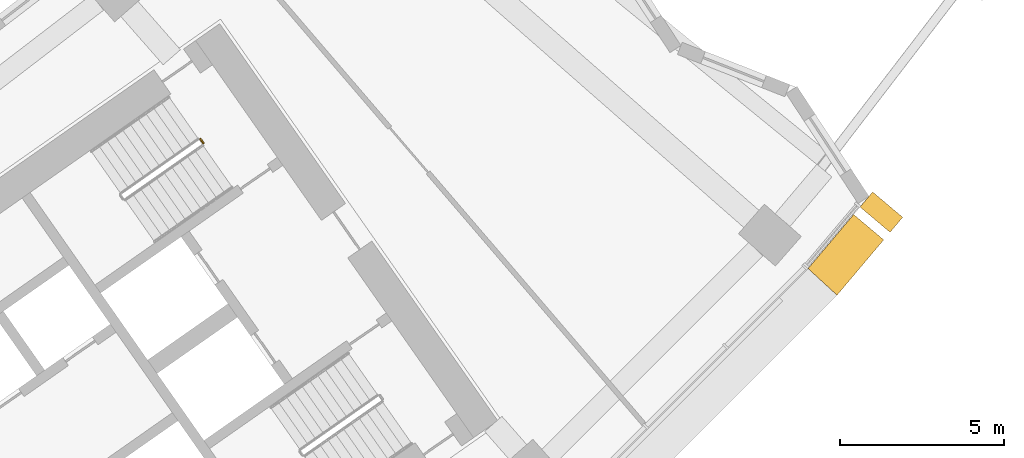
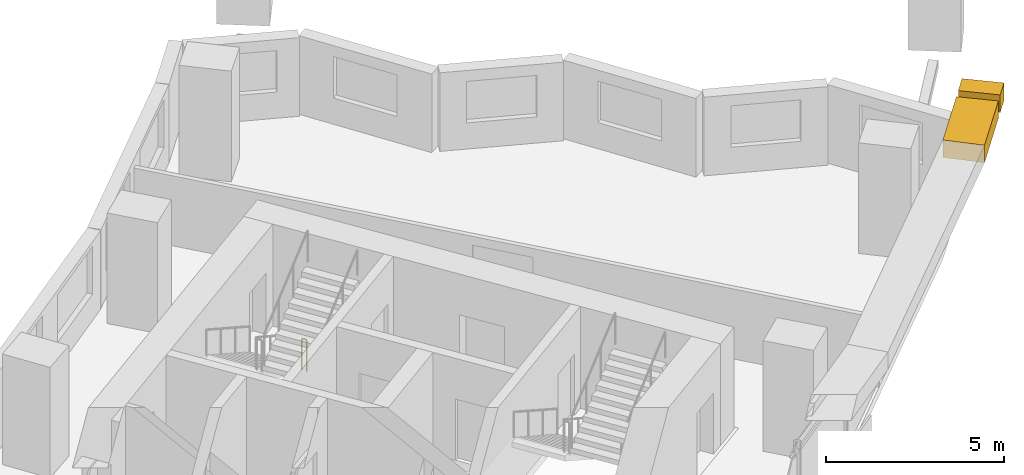
# One storey, part 29 of 29: 2 shading devices, 1 railing.
"""IFC4 building model written with IfcOpenShell, lengths in metres."""

from ifc_helpers import new_model, si_unit, direction, frame, origin, origin_2d, place, context, subcontext, project, spatial, polyline, circle, outline, extrude, material, type_object, element, save


model = new_model("IFC4")

# Units and contexts
model_context = context("Model", 3, precision=1e-05, world=origin(), true_north=direction((0.0, 1.0)))
body_context = subcontext(model_context, "Body", "Model", "MODEL_VIEW")
ifc_project = project(units=[si_unit("LENGTHUNIT", "METRE"), si_unit("AREAUNIT", "SQUARE_METRE"), si_unit("VOLUMEUNIT", "CUBIC_METRE"), si_unit("PLANEANGLEUNIT", "RADIAN"), si_unit("MASSUNIT", "GRAM", prefix="KILO")], contexts=[model_context])

# Site, building, storey
site_placement = place(None, origin())
site = spatial("IfcSite", under=ifc_project, at=site_placement, CompositionType="ELEMENT")
building_placement = place(site_placement, origin())
building = spatial("IfcBuilding", under=site, at=building_placement, Name="Qamariyya Broadcast Tower", CompositionType="ELEMENT")
storey_placement = place(building_placement, frame((0.0, 0.0, 121.5)))
storey = spatial("IfcBuildingStorey", under=building, at=storey_placement, Name="L27", CompositionType="ELEMENT", Elevation=121.5)

# Shading devices
ifc_material_1 = material(Name="Steel S355 powder coated deep red", Category="steel")
shading_device_type = type_object("IfcShadingDeviceType", Name="Deep red frame, powder coated steel box section", PredefinedType="USERDEFINED", material=ifc_material_1)
shading_device_1_placement = place(storey_placement, frame((0.0, 0.0, 3.199951171875)))
element("IfcShadingDevice", 1, at=shading_device_1_placement, inside=storey, type_object=shading_device_type, Name="e-frm-B2-F4-postb-L27", ObjectType="FRAME", PredefinedType="USERDEFINED", context=body_context, shape_type="SweptSolid", body=[
    extrude(outline(polyline([(61.20703125, -50.405517578125), (62.124267578125, -51.17919921875), (62.510986328125, -50.720703125), (61.59375, -49.947021484375), (61.20703125, -50.405517578125)])), origin(), (0.0, 0.0, 1.0), 0.60009765625),
])
shading_device_2_placement = place(storey_placement, frame((0.0, 0.0, 3.199951171875)))
element("IfcShadingDevice", 2, at=shading_device_2_placement, inside=storey, type_object=shading_device_type, Name="e-frm-B2-F4-bot2", ObjectType="FRAME", PredefinedType="USERDEFINED", context=body_context, shape_type="SweptSolid", body=[
    extrude(outline(polyline([(59.620849609375, -52.2861328125), (60.50537109375, -53.0986328125), (61.930908203125, -51.40869140625), (61.013427734375, -50.635009765625), (59.620849609375, -52.2861328125)])), origin(), (0.0, 0.0, 1.0), 0.60009765625),
])

# Railing
ifc_material_2 = material(Name="Painted steel", Category="steel")
railing_type = type_object("IfcRailingType", Name="Stair guard", PredefinedType="GUARDRAIL", material=ifc_material_2)
railing_placement = place(storey_placement, frame((41.072998046875, -48.332275390625, 0.0)))
element("IfcRailing", 3, at=railing_placement, inside=storey, type_object=railing_type, Name="L27 ST-E2 stair guard 3", PredefinedType="GUARDRAIL", context=body_context, shape_type="SweptSolid", body=[
    extrude(circle(Radius=0.02392578125, at=origin_2d()), frame((0.0, 0.0, 1.076171875), z_axis=(0.572588637393, -0.819842821722, 0.0), x_axis=(0.819842821722, 0.572588637393, 0.0)), (0.0, 0.0, 1.0), 0.150146484375),
    extrude(circle(Radius=0.02099609375, at=origin_2d()), origin(), (0.0, 0.0, 1.0), 1.052001953125),
    extrude(circle(Radius=0.02099609375, at=origin_2d()), frame((0.0859375, -0.123046875, 0.0)), (0.0, 0.0, 1.0), 1.052001953125),
])

save(model, "model.ifc")
